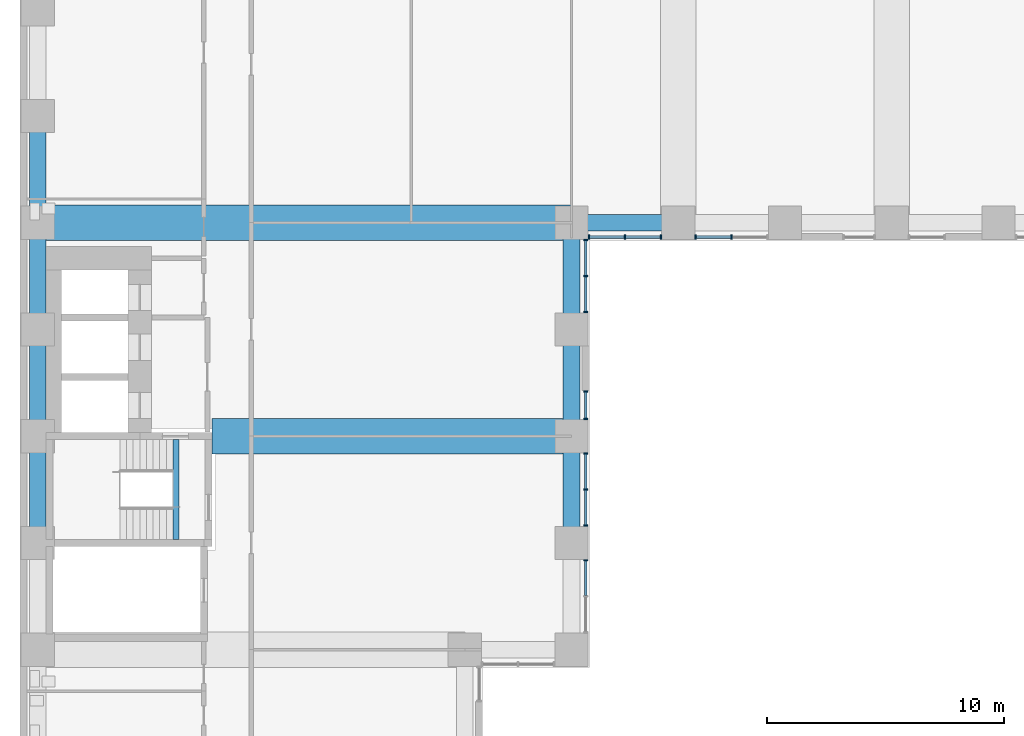
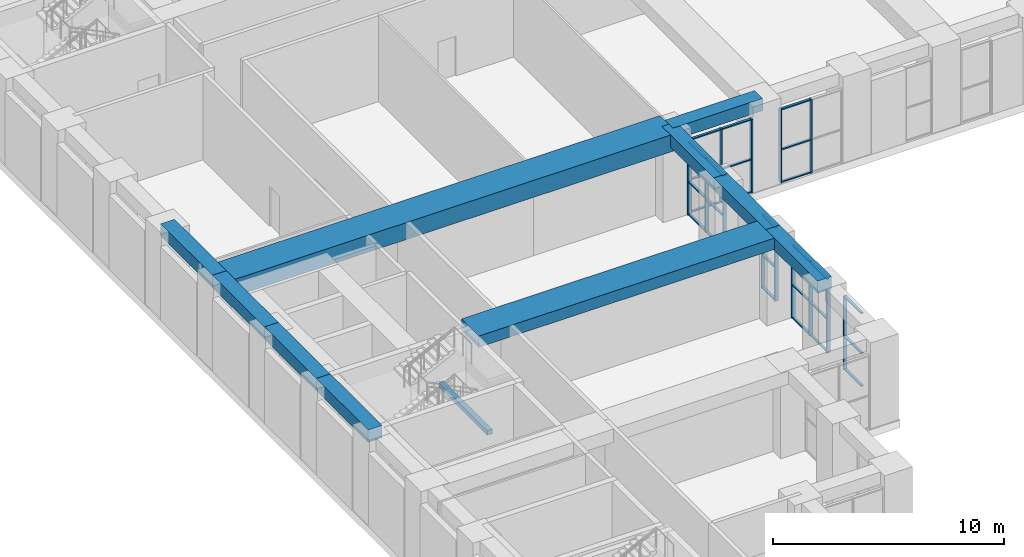
# One storey, part 3 of 34: 41 members, 11 beams, 6 elements without a shape of their own.
"""IFC4 building model written with IfcOpenShell, lengths in metres."""

import ifcopenshell
import ifcopenshell.guid

model = None  # the IFC model being written
_history = None  # IfcOwnerHistory: only IFC2X3 demands one
_inside = {}  # id of a spatial element -> (the spatial element, [elements in it])
_under = {}  # id of a project, library or spatial element -> (it, [spatial elements below it])
_declared = {}  # id of a project -> (the project, [libraries it declares])
_typed = {}  # id of a type object -> (the type object, [elements of that type])
_made_of = {}  # id of a material, layer set ... -> (it, [elements and type objects made of it])


def new_model(schema):
    """Start an empty IFC model of exactly this schema.

    Asked for "IFC4X3", IfcOpenShell would pick the latest addendum, in which some entities
    have other attributes; the version numbers below select the first issue.
    IFC2X3 requires an IfcOwnerHistory on every rooted entity: one is made here for all.
    """
    global model, _history
    if schema == "IFC4X3":
        model = ifcopenshell.file(schema_version=(4, 3, 0, 0))
    else:
        model = ifcopenshell.file(schema=schema)
    _inside.clear()
    _under.clear()
    _declared.clear()
    _typed.clear()
    _made_of.clear()
    _history = None
    if model.schema == "IFC2X3":
        org = make("IfcOrganization", Name="unknown")
        user = make(
            "IfcPersonAndOrganization",
            ThePerson=make("IfcPerson", FamilyName="unknown"),
            TheOrganization=org,
        )
        app = make(
            "IfcApplication",
            ApplicationDeveloper=org,
            Version="unknown",
            ApplicationFullName="unknown",
            ApplicationIdentifier="unknown",
        )
        _history = make(
            "IfcOwnerHistory",
            OwningUser=user,
            OwningApplication=app,
            ChangeAction="ADDED",
            CreationDate=0,
        )
    return model


def make(cls, **values):
    """One entity of the class cls with the attributes given. An attribute that is None is left unset."""
    return model.create_entity(
        cls, **{name: value for name, value in values.items() if value is not None}
    )


def rooted(cls, **values):
    """An entity with a GlobalId (a new one), such as an element, a storey or a relation."""
    return make(cls, GlobalId=ifcopenshell.guid.new(), OwnerHistory=_history, **values)


def si_unit(unit_type, name, prefix=None):
    """IfcSIUnit, for example si_unit("LENGTHUNIT", "METRE", prefix="MILLI")."""
    return make("IfcSIUnit", UnitType=unit_type, Prefix=prefix, Name=name)


def assignment(units):
    """IfcUnitAssignment: the units of a project."""
    return None if units is None else make("IfcUnitAssignment", Units=units)


def point(xyz):
    """IfcCartesianPoint."""
    return None if xyz is None else make("IfcCartesianPoint", Coordinates=xyz)


def direction(xyz):
    """IfcDirection."""
    return None if xyz is None else make("IfcDirection", DirectionRatios=xyz)


def frame(location, z_axis=None, x_axis=None):
    """IfcAxis2Placement3D, a coordinate frame: its origin and axes. An axis left out is left unset."""
    return make(
        "IfcAxis2Placement3D",
        Location=point(location),
        Axis=direction(z_axis),
        RefDirection=direction(x_axis),
    )


def frame_2d(location, x_axis=None):
    """IfcAxis2Placement2D, a coordinate frame in the plane: its origin and x axis."""
    return make(
        "IfcAxis2Placement2D", Location=point(location), RefDirection=direction(x_axis)
    )


def origin():
    """The frame at (0, 0, 0) with its axes left unset."""
    return frame((0.0, 0.0, 0.0))


def origin_2d():
    """The frame at (0, 0) in the plane with its x axis left unset."""
    return frame_2d((0.0, 0.0))


def place(relative_to, where):
    """IfcLocalPlacement: puts the frame where relative to a parent placement (None: the world)."""
    return make(
        "IfcLocalPlacement", PlacementRelTo=relative_to, RelativePlacement=where
    )


def context(
    kind, dimensions, precision=None, world=None, true_north=None, identifier=None
):
    """IfcGeometricRepresentationContext, for example the 3D "Model" context."""
    return make(
        "IfcGeometricRepresentationContext",
        ContextIdentifier=identifier,
        ContextType=kind,
        CoordinateSpaceDimension=dimensions,
        Precision=precision,
        WorldCoordinateSystem=world,
        TrueNorth=true_north,
    )


def subcontext(parent, identifier, kind, view, scale=None):
    """IfcGeometricRepresentationSubContext, for example "Body" below "Model"."""
    return make(
        "IfcGeometricRepresentationSubContext",
        ContextIdentifier=identifier,
        ContextType=kind,
        ParentContext=parent,
        TargetScale=scale,
        TargetView=view,
    )


def project(units=None, contexts=None):
    """IfcProject with its units and contexts."""
    return rooted(
        "IfcProject",
        Name="project",
        RepresentationContexts=contexts,
        UnitsInContext=assignment(units),
    )


def spatial(cls, under=None, at=None, **own):
    """A site, building, storey or space (cls), placed at a placement, below another one or the project."""
    s = rooted(cls, ObjectPlacement=at, **own)
    if under is not None:
        _under.setdefault(under.id(), (under, []))[1].append(s)
    return s


def profile(cls, at=None, kind="AREA", **sizes):
    """A parametric profile (cls). Its sizes go by their IFC names, for example OverallWidth=200.0."""
    return make(cls, ProfileType=kind, Position=at, **sizes)


def rectangle(**sizes):
    """IfcRectangleProfileDef."""
    return profile("IfcRectangleProfileDef", **sizes)


def extrude(swept, where, along, depth):
    """IfcExtrudedAreaSolid: the profile swept, set in the frame where, extruded along a direction by depth."""
    return make(
        "IfcExtrudedAreaSolid",
        SweptArea=swept,
        Position=where,
        ExtrudedDirection=direction(along),
        Depth=depth,
    )


def shape(context_of_items, identifier, shape_type, items):
    """IfcShapeRepresentation: the items that make up one representation, for example the "Body"."""
    return make(
        "IfcShapeRepresentation",
        ContextOfItems=context_of_items,
        RepresentationIdentifier=identifier,
        RepresentationType=shape_type,
        Items=items,
    )


def material(Name=None, Category=None):
    """IfcMaterial."""
    return make("IfcMaterial", Name=Name, Category=Category)


def material_profile(
    of_material, cross_section, Name=None, Category=None, Priority=None
):
    """IfcMaterialProfile: a cross section and its material."""
    return make(
        "IfcMaterialProfile",
        Name=Name,
        Material=of_material,
        Profile=cross_section,
        Priority=Priority,
        Category=Category,
    )


def profile_set(profiles, Name=None, composite=None):
    """IfcMaterialProfileSet."""
    return make(
        "IfcMaterialProfileSet",
        Name=Name,
        MaterialProfiles=profiles,
        CompositeProfile=composite,
    )


def made_of(thing, what):
    """Note that an element or type object is made of a material, layer set ...; save() writes the relation."""
    if what is not None:
        _made_of.setdefault(what.id(), (what, []))[1].append(thing)
    return thing


def type_object(cls, material=None, **own):
    """A type object (cls), such as IfcWallType, which elements share."""
    return made_of(rooted(cls, **own), material)


def element(
    cls,
    number,
    at=None,
    inside=None,
    cuts=None,
    type_object=None,
    material=None,
    context=None,
    identifier="Body",
    shape_type=None,
    held_by="IfcProductDefinitionShape",
    body=None,
    shapes=None,
    **own,
):
    """One element of the class cls, such as IfcWall. Its Tag is "e" and its number.

    at: its placement. inside: the storey or other place that contains it. cuts: it is an
    opening in that element (IfcRelVoidsElement). A single representation is given by context,
    identifier, shape_type and body (its items); several are given by shapes. held_by: the class
    of the entity that holds the representations. save() writes the other relations.
    """
    e = rooted(cls, Tag="e%d" % number, ObjectPlacement=at, **own)
    if body is not None:
        shapes = [shape(context, identifier, shape_type, body)]
    if shapes is not None:
        e.Representation = make(held_by, Representations=shapes)
    if inside is not None:
        _inside.setdefault(inside.id(), (inside, []))[1].append(e)
    if cuts is not None:
        rooted(
            "IfcRelVoidsElement", RelatingBuildingElement=cuts, RelatedOpeningElement=e
        )
    if type_object is not None:
        _typed.setdefault(type_object.id(), (type_object, []))[1].append(e)
    return made_of(e, material)


def aggregate(whole, parts):
    """IfcRelAggregates: a whole, such as a stair, and the parts it consists of."""
    return rooted("IfcRelAggregates", RelatingObject=whole, RelatedObjects=parts)


def save(model, path):
    """Write the relations noted so far, then the file.

    IfcRelAggregates (storeys below a building ...), IfcRelContainedInSpatialStructure (elements
    in a storey), IfcRelDefinesByType, IfcRelAssociatesMaterial and IfcRelDeclares: one each for
    every whole, place, type object, material and project.
    """
    for whole, parts in _under.values():
        aggregate(whole, parts)
    for where, things in _inside.values():
        rooted(
            "IfcRelContainedInSpatialStructure",
            RelatedElements=things,
            RelatingStructure=where,
        )
    for kind, things in _typed.values():
        rooted("IfcRelDefinesByType", RelatedObjects=things, RelatingType=kind)
    for what, things in _made_of.values():
        rooted("IfcRelAssociatesMaterial", RelatedObjects=things, RelatingMaterial=what)
    for by, libraries in _declared.values():
        rooted("IfcRelDeclares", RelatingContext=by, RelatedDefinitions=libraries)
    model.write(path)


model = new_model("IFC4")

# Units and contexts
model_context = context("Model", 3, precision=1e-05, world=origin(), true_north=direction((0.0, 1.0)))
body_context = subcontext(model_context, "Body", "Model", "MODEL_VIEW")
ifc_project = project(units=[si_unit("LENGTHUNIT", "METRE"), si_unit("AREAUNIT", "SQUARE_METRE"), si_unit("VOLUMEUNIT", "CUBIC_METRE"), si_unit("PLANEANGLEUNIT", "RADIAN"), si_unit("MASSUNIT", "GRAM", prefix="KILO")], contexts=[model_context])

# Site, building, storey
site_placement = place(None, origin())
site = spatial("IfcSite", under=ifc_project, at=site_placement, CompositionType="ELEMENT")
building_placement = place(site_placement, origin())
building = spatial("IfcBuilding", under=site, at=building_placement, Name="Firuza Court", CompositionType="ELEMENT")
storey_placement = place(building_placement, frame((0.0, 0.0, 19.0)))
storey = spatial("IfcBuildingStorey", under=building, at=storey_placement, Name="L03", CompositionType="ELEMENT", Elevation=19.0)

# Beams
ifc_material_1 = material(Name="Concrete C40/50", Category="concrete")
ifc_material_profile_1 = material_profile(ifc_material_1, rectangle(XDim=1.5, YDim=0.60009765625, at=origin_2d()), Name="RC 1500x600")
ifc_profile_set_1 = profile_set([ifc_material_profile_1], Name="Concrete C40/50")
beam_type_1 = type_object("IfcBeamType", Name="Band beam RC 1500x600 C40/50", PredefinedType="BEAM", material=ifc_profile_set_1)
beam_1_placement = place(storey_placement, frame((22.5, 27.0, 4.25), z_axis=(-1.0, 0.0, 0.0), x_axis=(0.0, -1.0, 0.0)))
element("IfcBeam", 1, at=beam_1_placement, inside=storey, type_object=beam_type_1, Name="Band beam FB3 level L04", PredefinedType="BEAM", context=body_context, shape_type="SweptSolid", body=[
    extrude(rectangle(XDim=1.5, YDim=0.60009765625, at=origin_2d()), origin(), (0.0, 0.0, 1.0), 15.14990234375),
])
ifc_material_2 = material(Name="Concrete C40/50", Category="concrete")
ifc_material_profile_2 = material_profile(ifc_material_2, rectangle(XDim=1.5, YDim=0.89990234375, at=origin_2d()), Name="RC 1500x900")
ifc_profile_set_2 = profile_set([ifc_material_profile_2], Name="Concrete C40/50")
beam_type_2 = type_object("IfcBeamType", Name="Band beam RC 1500x900 C40/50", PredefinedType="BEAM", material=ifc_profile_set_2)
beam_2_placement = place(storey_placement, frame((0.0, 36.0, 4.10009765625), z_axis=(1.0, 0.0, 0.0), x_axis=(0.0, 1.0, 0.0)))
element("IfcBeam", 2, at=beam_2_placement, inside=storey, type_object=beam_type_2, Name="Band beam FB2 level L04", PredefinedType="BEAM", context=body_context, shape_type="SweptSolid", body=[
    extrude(rectangle(XDim=1.5, YDim=0.89990234375, at=origin_2d()), origin(), (0.0, 0.0, 1.0), 22.5),
])
ifc_material_3 = material(Name="Concrete C40/50", Category="concrete")
ifc_material_profile_3 = material_profile(ifc_material_3, rectangle(XDim=0.25, YDim=0.25, at=origin_2d()), Name="RC 250x250")
ifc_profile_set_3 = profile_set([ifc_material_profile_3], Name="Concrete C40/50")
beam_type_3 = type_object("IfcBeamType", Name="Landing beam RC 250x250 C40/50", PredefinedType="BEAM", material=ifc_profile_set_3)
beam_3_placement = place(storey_placement, frame((5.824951171875, 22.64990234375, 2.175048828125), z_axis=(0.0, 1.0, 0.0), x_axis=(-1.0, 0.0, 0.0)))
element("IfcBeam", 3, at=beam_3_placement, inside=storey, type_object=beam_type_3, Name="Landing beam S2 L03", PredefinedType="BEAM", context=body_context, shape_type="SweptSolid", body=[
    extrude(rectangle(XDim=0.25, YDim=0.25, at=origin_2d()), origin(), (0.0, 0.0, 1.0), 4.2001953125),
])

# Curtain wall, member
ifc_material_4 = material(Name="Aluminium curtain wall, triple clear glazing", Category="aluminium")
curtain_wall_type = type_object("IfcCurtainWallType", Name="Podium unitised curtain wall CW1", PredefinedType="NOTDEFINED", material=ifc_material_4)
curtain_wall_1_placement = place(storey_placement, origin())
curtain_wall_1 = element("IfcCurtainWall", 4, at=curtain_wall_1_placement, inside=storey, type_object=curtain_wall_type, Name="Podium unitised curtain wall CW1 L03", PredefinedType="NOTDEFINED")
ifc_material_5 = material(Name="Aluminium EN AW-6060 T66", Category="aluminium")
ifc_material_profile_4 = material_profile(ifc_material_5, rectangle(XDim=0.179931640625, YDim=0.06005859375, at=origin_2d()), Name="Mullion 180 x 60 CW1")
ifc_profile_set_4 = profile_set([ifc_material_profile_4], Name="Aluminium EN AW-6060 T66")
member_type_1 = type_object("IfcMemberType", Name="Mullion 180 x 60 CW1", PredefinedType="MULLION", material=ifc_profile_set_4)
member_1_placement = place(storey_placement, frame((23.10009765625, 21.77001953125, 0.0), z_axis=(0.0, 0.0, 1.0), x_axis=(-1.0, 0.0, 0.0)))
member_1 = element("IfcMember", 5, at=member_1_placement, type_object=member_type_1, Name="CW1 mullion 3", PredefinedType="MULLION", context=body_context, shape_type="SweptSolid", body=[
    extrude(rectangle(XDim=0.179931640625, YDim=0.06005859375, at=origin_2d()), origin(), (0.0, 0.0, 1.0), 3.89990234375),
])

# Curtain wall, members
curtain_wall_2_placement = place(storey_placement, origin())
curtain_wall_2 = element("IfcCurtainWall", 6, at=curtain_wall_2_placement, inside=storey, type_object=curtain_wall_type, Name="Podium unitised curtain wall CW1 L03", PredefinedType="NOTDEFINED")
member_2_placement = place(storey_placement, frame((23.10009765625, 23.22998046875, 0.0), z_axis=(0.0, 0.0, 1.0), x_axis=(-1.0, 0.0, 0.0)))
member_2 = element("IfcMember", 7, at=member_2_placement, type_object=member_type_1, Name="CW1 mullion 1", PredefinedType="MULLION", context=body_context, shape_type="SweptSolid", body=[
    extrude(rectangle(XDim=0.179931640625, YDim=0.06005859375, at=origin_2d()), origin(), (0.0, 0.0, 1.0), 3.89990234375),
])
member_3_placement = place(storey_placement, frame((23.10009765625, 24.75, 0.0), z_axis=(0.0, 0.0, 1.0), x_axis=(-1.0, 0.0, 0.0)))
member_3 = element("IfcMember", 8, at=member_3_placement, type_object=member_type_1, Name="CW1 mullion 2", PredefinedType="MULLION", context=body_context, shape_type="SweptSolid", body=[
    extrude(rectangle(XDim=0.179931640625, YDim=0.06005859375, at=origin_2d()), origin(), (0.0, 0.0, 1.0), 3.89990234375),
])
member_4_placement = place(storey_placement, frame((23.10009765625, 26.27001953125, 0.0), z_axis=(0.0, 0.0, 1.0), x_axis=(-1.0, 0.0, 0.0)))
member_4 = element("IfcMember", 9, at=member_4_placement, type_object=member_type_1, Name="CW1 mullion 3", PredefinedType="MULLION", context=body_context, shape_type="SweptSolid", body=[
    extrude(rectangle(XDim=0.179931640625, YDim=0.06005859375, at=origin_2d()), origin(), (0.0, 0.0, 1.0), 3.89990234375),
])

curtain_wall_3_placement = place(storey_placement, origin())
curtain_wall_3 = element("IfcCurtainWall", 10, at=curtain_wall_3_placement, inside=storey, type_object=curtain_wall_type, Name="Podium unitised curtain wall CW1 L03", PredefinedType="NOTDEFINED")
member_5_placement = place(storey_placement, frame((23.10009765625, 27.72998046875, 0.0), z_axis=(0.0, 0.0, 1.0), x_axis=(-1.0, 0.0, 0.0)))
member_5 = element("IfcMember", 11, at=member_5_placement, type_object=member_type_1, Name="CW1 mullion 1", PredefinedType="MULLION", context=body_context, shape_type="SweptSolid", body=[
    extrude(rectangle(XDim=0.179931640625, YDim=0.06005859375, at=origin_2d()), origin(), (0.0, 0.0, 1.0), 3.89990234375),
])
member_6_placement = place(storey_placement, frame((23.10009765625, 28.88818359375, 0.0), z_axis=(0.0, 0.0, 1.0), x_axis=(-1.0, 0.0, 0.0)))
member_6 = element("IfcMember", 12, at=member_6_placement, type_object=member_type_1, Name="CW1 mullion 2", PredefinedType="MULLION", context=body_context, shape_type="SweptSolid", body=[
    extrude(rectangle(XDim=0.179931640625, YDim=0.06005859375, at=origin_2d()), origin(), (0.0, 0.0, 1.0), 3.89990234375),
])

curtain_wall_4_placement = place(storey_placement, origin())
curtain_wall_4 = element("IfcCurtainWall", 13, at=curtain_wall_4_placement, inside=storey, type_object=curtain_wall_type, Name="Podium unitised curtain wall CW1 L03", PredefinedType="NOTDEFINED")
member_7_placement = place(storey_placement, frame((23.10009765625, 32.22998046875, 0.0), z_axis=(0.0, 0.0, 1.0), x_axis=(-1.0, 0.0, 0.0)))
member_7 = element("IfcMember", 14, at=member_7_placement, type_object=member_type_1, Name="CW1 mullion 1", PredefinedType="MULLION", context=body_context, shape_type="SweptSolid", body=[
    extrude(rectangle(XDim=0.179931640625, YDim=0.06005859375, at=origin_2d()), origin(), (0.0, 0.0, 1.0), 3.89990234375),
])
member_8_placement = place(storey_placement, frame((23.10009765625, 33.75, 0.0), z_axis=(0.0, 0.0, 1.0), x_axis=(-1.0, 0.0, 0.0)))
member_8 = element("IfcMember", 15, at=member_8_placement, type_object=member_type_1, Name="CW1 mullion 2", PredefinedType="MULLION", context=body_context, shape_type="SweptSolid", body=[
    extrude(rectangle(XDim=0.179931640625, YDim=0.06005859375, at=origin_2d()), origin(), (0.0, 0.0, 1.0), 3.89990234375),
])
member_9_placement = place(storey_placement, frame((23.10009765625, 35.27001953125, 0.0), z_axis=(0.0, 0.0, 1.0), x_axis=(-1.0, 0.0, 0.0)))
member_9 = element("IfcMember", 16, at=member_9_placement, type_object=member_type_1, Name="CW1 mullion 3", PredefinedType="MULLION", context=body_context, shape_type="SweptSolid", body=[
    extrude(rectangle(XDim=0.179931640625, YDim=0.06005859375, at=origin_2d()), origin(), (0.0, 0.0, 1.0), 3.89990234375),
])

curtain_wall_5_placement = place(storey_placement, origin())
curtain_wall_5 = element("IfcCurtainWall", 17, at=curtain_wall_5_placement, inside=storey, type_object=curtain_wall_type, Name="Podium unitised curtain wall CW1 L03", PredefinedType="NOTDEFINED")
member_10_placement = place(storey_placement, frame((23.22998046875, 35.39990234375, 0.0), z_axis=(0.0, 0.0, 1.0), x_axis=(0.0, 1.0, 0.0)))
member_10 = element("IfcMember", 18, at=member_10_placement, type_object=member_type_1, Name="CW1 mullion 1", PredefinedType="MULLION", context=body_context, shape_type="SweptSolid", body=[
    extrude(rectangle(XDim=0.179931640625, YDim=0.06005859375, at=origin_2d()), origin(), (0.0, 0.0, 1.0), 3.89990234375),
])
member_11_placement = place(storey_placement, frame((24.75, 35.39990234375, 0.0), z_axis=(0.0, 0.0, 1.0), x_axis=(0.0, 1.0, 0.0)))
member_11 = element("IfcMember", 19, at=member_11_placement, type_object=member_type_1, Name="CW1 mullion 2", PredefinedType="MULLION", context=body_context, shape_type="SweptSolid", body=[
    extrude(rectangle(XDim=0.179931640625, YDim=0.06005859375, at=origin_2d()), origin(), (0.0, 0.0, 1.0), 3.89990234375),
])
member_12_placement = place(storey_placement, frame((26.27001953125, 35.39990234375, 0.0), z_axis=(0.0, 0.0, 1.0), x_axis=(0.0, 1.0, 0.0)))
member_12 = element("IfcMember", 20, at=member_12_placement, type_object=member_type_1, Name="CW1 mullion 3", PredefinedType="MULLION", context=body_context, shape_type="SweptSolid", body=[
    extrude(rectangle(XDim=0.179931640625, YDim=0.06005859375, at=origin_2d()), origin(), (0.0, 0.0, 1.0), 3.89990234375),
])

curtain_wall_6_placement = place(storey_placement, origin())
curtain_wall_6 = element("IfcCurtainWall", 21, at=curtain_wall_6_placement, inside=storey, type_object=curtain_wall_type, Name="Podium unitised curtain wall CW1 L03", PredefinedType="NOTDEFINED")
member_13_placement = place(storey_placement, frame((27.72998046875, 35.39990234375, 0.0), z_axis=(0.0, 0.0, 1.0), x_axis=(0.0, 1.0, 0.0)))
member_13 = element("IfcMember", 22, at=member_13_placement, type_object=member_type_1, Name="CW1 mullion 1", PredefinedType="MULLION", context=body_context, shape_type="SweptSolid", body=[
    extrude(rectangle(XDim=0.179931640625, YDim=0.06005859375, at=origin_2d()), origin(), (0.0, 0.0, 1.0), 3.89990234375),
])
member_14_placement = place(storey_placement, frame((29.25, 35.39990234375, 0.0), z_axis=(0.0, 0.0, 1.0), x_axis=(0.0, 1.0, 0.0)))
member_14 = element("IfcMember", 23, at=member_14_placement, type_object=member_type_1, Name="CW1 mullion 2", PredefinedType="MULLION", context=body_context, shape_type="SweptSolid", body=[
    extrude(rectangle(XDim=0.179931640625, YDim=0.06005859375, at=origin_2d()), origin(), (0.0, 0.0, 1.0), 3.89990234375),
])

# Beams
ifc_material_6 = material(Name="Concrete C40/50", Category="concrete")
ifc_material_profile_5 = material_profile(ifc_material_6, rectangle(XDim=0.699951171875, YDim=0.64990234375, at=origin_2d()), Name="RC 700x650")
ifc_profile_set_5 = profile_set([ifc_material_profile_5], Name="Concrete C40/50")
beam_type_4 = type_object("IfcBeamType", Name="Spandrel beam RC 700x650 C40/50", PredefinedType="BEAM", material=ifc_profile_set_5)
for number, where, z_axis, x_axis, name in (
    (24, (0.0, 27.0, 4.22509765625), (0.0, -1.0, 0.0), (1.0, 0.0, 0.0), "Spandrel beam SP9 level L04"),
    (25, (0.0, 31.5, 4.22509765625), (0.0, -1.0, 0.0), (1.0, 0.0, 0.0), "Spandrel beam SP9 level L04"),
    (26, (0.0, 36.0, 4.22509765625), (0.0, -1.0, 0.0), (1.0, 0.0, 0.0), "Spandrel beam SP9 level L04"),
    (27, (0.0, 40.5, 4.22509765625), (0.0, -1.0, 0.0), (1.0, 0.0, 0.0), "Spandrel beam SP9 level L04"),
    (28, (22.5, 22.5, 4.22509765625), (0.0, 1.0, 0.0), (-1.0, 0.0, 0.0), "Spandrel beam SP9 level L04"),
    (29, (22.5, 27.0, 4.22509765625), (0.0, 1.0, 0.0), (-1.0, 0.0, 0.0), "Spandrel beam SP9 level L04"),
    (30, (22.5, 31.5, 4.22509765625), (0.0, 1.0, 0.0), (-1.0, 0.0, 0.0), "Spandrel beam SP9 level L04"),
    (31, (22.5, 36.0, 4.22509765625), (1.0, 0.0, 0.0), (0.0, 1.0, 0.0), "Spandrel beam SP9 level L04"),
):
    element("IfcBeam", number, at=place(storey_placement, frame(where, z_axis=z_axis, x_axis=x_axis)), inside=storey, type_object=beam_type_4, Name=name, PredefinedType="BEAM", context=body_context, shape_type="SweptSolid", body=[
        extrude(rectangle(XDim=0.699951171875, YDim=0.64990234375, at=origin_2d()), origin(), (0.0, 0.0, 1.0), 4.5),
    ])

# Member
ifc_material_7 = material(Name="Aluminium EN AW-6060 T66", Category="aluminium")
ifc_material_profile_6 = material_profile(ifc_material_7, rectangle(XDim=0.1201171875, YDim=0.06005859375, at=origin_2d()), Name="Transom 120 x 60 CW1")
ifc_profile_set_6 = profile_set([ifc_material_profile_6], Name="Aluminium EN AW-6060 T66")
member_type_2 = type_object("IfcMemberType", Name="Transom 120 x 60 CW1", PredefinedType="USERDEFINED", material=ifc_profile_set_6)
member_15_placement = place(storey_placement, frame((23.10009765625, 20.280029296875, 0.030029296875), z_axis=(0.0, 1.0, 0.0), x_axis=(-1.0, 0.0, 0.0)))
member_15 = element("IfcMember", 32, at=member_15_placement, type_object=member_type_2, Name="CW1 transom 2.1", ObjectType="TRANSOM", PredefinedType="USERDEFINED", context=body_context, shape_type="SweptSolid", body=[
    extrude(rectangle(XDim=0.1201171875, YDim=0.06005859375, at=origin_2d()), origin(), (0.0, 0.0, 1.0), 1.4599609375),
])

member_16_placement = place(storey_placement, frame((23.10009765625, 20.280029296875, 1.7548828125), z_axis=(0.0, 1.0, 0.0), x_axis=(-1.0, 0.0, 0.0)))
member_16 = element("IfcMember", 33, at=member_16_placement, type_object=member_type_2, Name="CW1 transom 2.2", ObjectType="TRANSOM", PredefinedType="USERDEFINED", context=body_context, shape_type="SweptSolid", body=[
    extrude(rectangle(XDim=0.1201171875, YDim=0.06005859375, at=origin_2d()), origin(), (0.0, 0.0, 1.0), 1.4599609375),
])

member_17_placement = place(storey_placement, frame((23.10009765625, 20.280029296875, 3.8701171875), z_axis=(0.0, 1.0, 0.0), x_axis=(-1.0, 0.0, 0.0)))
member_17 = element("IfcMember", 34, at=member_17_placement, type_object=member_type_2, Name="CW1 transom 2.3", ObjectType="TRANSOM", PredefinedType="USERDEFINED", context=body_context, shape_type="SweptSolid", body=[
    extrude(rectangle(XDim=0.1201171875, YDim=0.06005859375, at=origin_2d()), origin(), (0.0, 0.0, 1.0), 1.4599609375),
])

aggregate(curtain_wall_1, [member_1, member_15, member_16, member_17])

member_18_placement = place(storey_placement, frame((23.10009765625, 23.260009765625, 0.030029296875), z_axis=(0.0, 1.0, 0.0), x_axis=(-1.0, 0.0, 0.0)))
member_18 = element("IfcMember", 35, at=member_18_placement, type_object=member_type_2, Name="CW1 transom 1.1", ObjectType="TRANSOM", PredefinedType="USERDEFINED", context=body_context, shape_type="SweptSolid", body=[
    extrude(rectangle(XDim=0.1201171875, YDim=0.06005859375, at=origin_2d()), origin(), (0.0, 0.0, 1.0), 1.4599609375),
])

member_19_placement = place(storey_placement, frame((23.10009765625, 23.260009765625, 1.7548828125), z_axis=(0.0, 1.0, 0.0), x_axis=(-1.0, 0.0, 0.0)))
member_19 = element("IfcMember", 36, at=member_19_placement, type_object=member_type_2, Name="CW1 transom 1.2", ObjectType="TRANSOM", PredefinedType="USERDEFINED", context=body_context, shape_type="SweptSolid", body=[
    extrude(rectangle(XDim=0.1201171875, YDim=0.06005859375, at=origin_2d()), origin(), (0.0, 0.0, 1.0), 1.4599609375),
])

member_20_placement = place(storey_placement, frame((23.10009765625, 23.260009765625, 3.8701171875), z_axis=(0.0, 1.0, 0.0), x_axis=(-1.0, 0.0, 0.0)))
member_20 = element("IfcMember", 37, at=member_20_placement, type_object=member_type_2, Name="CW1 transom 1.3", ObjectType="TRANSOM", PredefinedType="USERDEFINED", context=body_context, shape_type="SweptSolid", body=[
    extrude(rectangle(XDim=0.1201171875, YDim=0.06005859375, at=origin_2d()), origin(), (0.0, 0.0, 1.0), 1.4599609375),
])

member_21_placement = place(storey_placement, frame((23.10009765625, 24.780029296875, 0.030029296875), z_axis=(0.0, 1.0, 0.0), x_axis=(-1.0, 0.0, 0.0)))
member_21 = element("IfcMember", 38, at=member_21_placement, type_object=member_type_2, Name="CW1 transom 2.1", ObjectType="TRANSOM", PredefinedType="USERDEFINED", context=body_context, shape_type="SweptSolid", body=[
    extrude(rectangle(XDim=0.1201171875, YDim=0.06005859375, at=origin_2d()), origin(), (0.0, 0.0, 1.0), 1.4599609375),
])

member_22_placement = place(storey_placement, frame((23.10009765625, 24.780029296875, 1.7548828125), z_axis=(0.0, 1.0, 0.0), x_axis=(-1.0, 0.0, 0.0)))
member_22 = element("IfcMember", 39, at=member_22_placement, type_object=member_type_2, Name="CW1 transom 2.2", ObjectType="TRANSOM", PredefinedType="USERDEFINED", context=body_context, shape_type="SweptSolid", body=[
    extrude(rectangle(XDim=0.1201171875, YDim=0.06005859375, at=origin_2d()), origin(), (0.0, 0.0, 1.0), 1.4599609375),
])

member_23_placement = place(storey_placement, frame((23.10009765625, 24.780029296875, 3.8701171875), z_axis=(0.0, 1.0, 0.0), x_axis=(-1.0, 0.0, 0.0)))
member_23 = element("IfcMember", 40, at=member_23_placement, type_object=member_type_2, Name="CW1 transom 2.3", ObjectType="TRANSOM", PredefinedType="USERDEFINED", context=body_context, shape_type="SweptSolid", body=[
    extrude(rectangle(XDim=0.1201171875, YDim=0.06005859375, at=origin_2d()), origin(), (0.0, 0.0, 1.0), 1.4599609375),
])

aggregate(curtain_wall_2, [member_2, member_3, member_4, member_18, member_19, member_20, member_21, member_22, member_23])

member_24_placement = place(storey_placement, frame((23.10009765625, 27.760009765625, 0.030029296875), z_axis=(0.0, 1.0, 0.0), x_axis=(-1.0, 0.0, 0.0)))
member_24 = element("IfcMember", 41, at=member_24_placement, type_object=member_type_2, Name="CW1 transom 1.1", ObjectType="TRANSOM", PredefinedType="USERDEFINED", context=body_context, shape_type="SweptSolid", body=[
    extrude(rectangle(XDim=0.1201171875, YDim=0.06005859375, at=origin_2d()), origin(), (0.0, 0.0, 1.0), 1.09814453125),
])

member_25_placement = place(storey_placement, frame((23.10009765625, 27.760009765625, 1.7548828125), z_axis=(0.0, 1.0, 0.0), x_axis=(-1.0, 0.0, 0.0)))
member_25 = element("IfcMember", 42, at=member_25_placement, type_object=member_type_2, Name="CW1 transom 1.2", ObjectType="TRANSOM", PredefinedType="USERDEFINED", context=body_context, shape_type="SweptSolid", body=[
    extrude(rectangle(XDim=0.1201171875, YDim=0.06005859375, at=origin_2d()), origin(), (0.0, 0.0, 1.0), 1.09814453125),
])

member_26_placement = place(storey_placement, frame((23.10009765625, 27.760009765625, 3.8701171875), z_axis=(0.0, 1.0, 0.0), x_axis=(-1.0, 0.0, 0.0)))
member_26 = element("IfcMember", 43, at=member_26_placement, type_object=member_type_2, Name="CW1 transom 1.3", ObjectType="TRANSOM", PredefinedType="USERDEFINED", context=body_context, shape_type="SweptSolid", body=[
    extrude(rectangle(XDim=0.1201171875, YDim=0.06005859375, at=origin_2d()), origin(), (0.0, 0.0, 1.0), 1.09814453125),
])

aggregate(curtain_wall_3, [member_5, member_6, member_24, member_25, member_26])

member_27_placement = place(storey_placement, frame((23.10009765625, 32.260009765625, 0.030029296875), z_axis=(0.0, 1.0, 0.0), x_axis=(-1.0, 0.0, 0.0)))
member_27 = element("IfcMember", 44, at=member_27_placement, type_object=member_type_2, Name="CW1 transom 1.1", ObjectType="TRANSOM", PredefinedType="USERDEFINED", context=body_context, shape_type="SweptSolid", body=[
    extrude(rectangle(XDim=0.1201171875, YDim=0.06005859375, at=origin_2d()), origin(), (0.0, 0.0, 1.0), 1.4599609375),
])

member_28_placement = place(storey_placement, frame((23.10009765625, 32.260009765625, 1.7548828125), z_axis=(0.0, 1.0, 0.0), x_axis=(-1.0, 0.0, 0.0)))
member_28 = element("IfcMember", 45, at=member_28_placement, type_object=member_type_2, Name="CW1 transom 1.2", ObjectType="TRANSOM", PredefinedType="USERDEFINED", context=body_context, shape_type="SweptSolid", body=[
    extrude(rectangle(XDim=0.1201171875, YDim=0.06005859375, at=origin_2d()), origin(), (0.0, 0.0, 1.0), 1.4599609375),
])

member_29_placement = place(storey_placement, frame((23.10009765625, 32.260009765625, 3.8701171875), z_axis=(0.0, 1.0, 0.0), x_axis=(-1.0, 0.0, 0.0)))
member_29 = element("IfcMember", 46, at=member_29_placement, type_object=member_type_2, Name="CW1 transom 1.3", ObjectType="TRANSOM", PredefinedType="USERDEFINED", context=body_context, shape_type="SweptSolid", body=[
    extrude(rectangle(XDim=0.1201171875, YDim=0.06005859375, at=origin_2d()), origin(), (0.0, 0.0, 1.0), 1.4599609375),
])

member_30_placement = place(storey_placement, frame((23.10009765625, 33.780029296875, 0.030029296875), z_axis=(0.0, 1.0, 0.0), x_axis=(-1.0, 0.0, 0.0)))
member_30 = element("IfcMember", 47, at=member_30_placement, type_object=member_type_2, Name="CW1 transom 2.1", ObjectType="TRANSOM", PredefinedType="USERDEFINED", context=body_context, shape_type="SweptSolid", body=[
    extrude(rectangle(XDim=0.1201171875, YDim=0.06005859375, at=origin_2d()), origin(), (0.0, 0.0, 1.0), 1.4599609375),
])

member_31_placement = place(storey_placement, frame((23.10009765625, 33.780029296875, 1.7548828125), z_axis=(0.0, 1.0, 0.0), x_axis=(-1.0, 0.0, 0.0)))
member_31 = element("IfcMember", 48, at=member_31_placement, type_object=member_type_2, Name="CW1 transom 2.2", ObjectType="TRANSOM", PredefinedType="USERDEFINED", context=body_context, shape_type="SweptSolid", body=[
    extrude(rectangle(XDim=0.1201171875, YDim=0.06005859375, at=origin_2d()), origin(), (0.0, 0.0, 1.0), 1.4599609375),
])

member_32_placement = place(storey_placement, frame((23.10009765625, 33.780029296875, 3.8701171875), z_axis=(0.0, 1.0, 0.0), x_axis=(-1.0, 0.0, 0.0)))
member_32 = element("IfcMember", 49, at=member_32_placement, type_object=member_type_2, Name="CW1 transom 2.3", ObjectType="TRANSOM", PredefinedType="USERDEFINED", context=body_context, shape_type="SweptSolid", body=[
    extrude(rectangle(XDim=0.1201171875, YDim=0.06005859375, at=origin_2d()), origin(), (0.0, 0.0, 1.0), 1.4599609375),
])

aggregate(curtain_wall_4, [member_7, member_8, member_9, member_27, member_28, member_29, member_30, member_31, member_32])

member_33_placement = place(storey_placement, frame((23.260009765625, 35.39990234375, 0.030029296875), z_axis=(1.0, 0.0, 0.0), x_axis=(0.0, 1.0, 0.0)))
member_33 = element("IfcMember", 50, at=member_33_placement, type_object=member_type_2, Name="CW1 transom 1.1", ObjectType="TRANSOM", PredefinedType="USERDEFINED", context=body_context, shape_type="SweptSolid", body=[
    extrude(rectangle(XDim=0.1201171875, YDim=0.06005859375, at=origin_2d()), origin(), (0.0, 0.0, 1.0), 1.4599609375),
])

member_34_placement = place(storey_placement, frame((23.260009765625, 35.39990234375, 1.7548828125), z_axis=(1.0, 0.0, 0.0), x_axis=(0.0, 1.0, 0.0)))
member_34 = element("IfcMember", 51, at=member_34_placement, type_object=member_type_2, Name="CW1 transom 1.2", ObjectType="TRANSOM", PredefinedType="USERDEFINED", context=body_context, shape_type="SweptSolid", body=[
    extrude(rectangle(XDim=0.1201171875, YDim=0.06005859375, at=origin_2d()), origin(), (0.0, 0.0, 1.0), 1.4599609375),
])

member_35_placement = place(storey_placement, frame((23.260009765625, 35.39990234375, 3.8701171875), z_axis=(1.0, 0.0, 0.0), x_axis=(0.0, 1.0, 0.0)))
member_35 = element("IfcMember", 52, at=member_35_placement, type_object=member_type_2, Name="CW1 transom 1.3", ObjectType="TRANSOM", PredefinedType="USERDEFINED", context=body_context, shape_type="SweptSolid", body=[
    extrude(rectangle(XDim=0.1201171875, YDim=0.06005859375, at=origin_2d()), origin(), (0.0, 0.0, 1.0), 1.4599609375),
])

member_36_placement = place(storey_placement, frame((24.780029296875, 35.39990234375, 0.030029296875), z_axis=(1.0, 0.0, 0.0), x_axis=(0.0, 1.0, 0.0)))
member_36 = element("IfcMember", 53, at=member_36_placement, type_object=member_type_2, Name="CW1 transom 2.1", ObjectType="TRANSOM", PredefinedType="USERDEFINED", context=body_context, shape_type="SweptSolid", body=[
    extrude(rectangle(XDim=0.1201171875, YDim=0.06005859375, at=origin_2d()), origin(), (0.0, 0.0, 1.0), 1.4599609375),
])

member_37_placement = place(storey_placement, frame((24.780029296875, 35.39990234375, 1.7548828125), z_axis=(1.0, 0.0, 0.0), x_axis=(0.0, 1.0, 0.0)))
member_37 = element("IfcMember", 54, at=member_37_placement, type_object=member_type_2, Name="CW1 transom 2.2", ObjectType="TRANSOM", PredefinedType="USERDEFINED", context=body_context, shape_type="SweptSolid", body=[
    extrude(rectangle(XDim=0.1201171875, YDim=0.06005859375, at=origin_2d()), origin(), (0.0, 0.0, 1.0), 1.4599609375),
])

member_38_placement = place(storey_placement, frame((24.780029296875, 35.39990234375, 3.8701171875), z_axis=(1.0, 0.0, 0.0), x_axis=(0.0, 1.0, 0.0)))
member_38 = element("IfcMember", 55, at=member_38_placement, type_object=member_type_2, Name="CW1 transom 2.3", ObjectType="TRANSOM", PredefinedType="USERDEFINED", context=body_context, shape_type="SweptSolid", body=[
    extrude(rectangle(XDim=0.1201171875, YDim=0.06005859375, at=origin_2d()), origin(), (0.0, 0.0, 1.0), 1.4599609375),
])

aggregate(curtain_wall_5, [member_10, member_11, member_12, member_33, member_34, member_35, member_36, member_37, member_38])

member_39_placement = place(storey_placement, frame((27.760009765625, 35.39990234375, 0.030029296875), z_axis=(1.0, 0.0, 0.0), x_axis=(0.0, 1.0, 0.0)))
member_39 = element("IfcMember", 56, at=member_39_placement, type_object=member_type_2, Name="CW1 transom 1.1", ObjectType="TRANSOM", PredefinedType="USERDEFINED", context=body_context, shape_type="SweptSolid", body=[
    extrude(rectangle(XDim=0.1201171875, YDim=0.06005859375, at=origin_2d()), origin(), (0.0, 0.0, 1.0), 1.4599609375),
])

member_40_placement = place(storey_placement, frame((27.760009765625, 35.39990234375, 1.7548828125), z_axis=(1.0, 0.0, 0.0), x_axis=(0.0, 1.0, 0.0)))
member_40 = element("IfcMember", 57, at=member_40_placement, type_object=member_type_2, Name="CW1 transom 1.2", ObjectType="TRANSOM", PredefinedType="USERDEFINED", context=body_context, shape_type="SweptSolid", body=[
    extrude(rectangle(XDim=0.1201171875, YDim=0.06005859375, at=origin_2d()), origin(), (0.0, 0.0, 1.0), 1.4599609375),
])

member_41_placement = place(storey_placement, frame((27.760009765625, 35.39990234375, 3.8701171875), z_axis=(1.0, 0.0, 0.0), x_axis=(0.0, 1.0, 0.0)))
member_41 = element("IfcMember", 58, at=member_41_placement, type_object=member_type_2, Name="CW1 transom 1.3", ObjectType="TRANSOM", PredefinedType="USERDEFINED", context=body_context, shape_type="SweptSolid", body=[
    extrude(rectangle(XDim=0.1201171875, YDim=0.06005859375, at=origin_2d()), origin(), (0.0, 0.0, 1.0), 1.4599609375),
])

aggregate(curtain_wall_6, [member_13, member_14, member_39, member_40, member_41])

save(model, "model.ifc")
